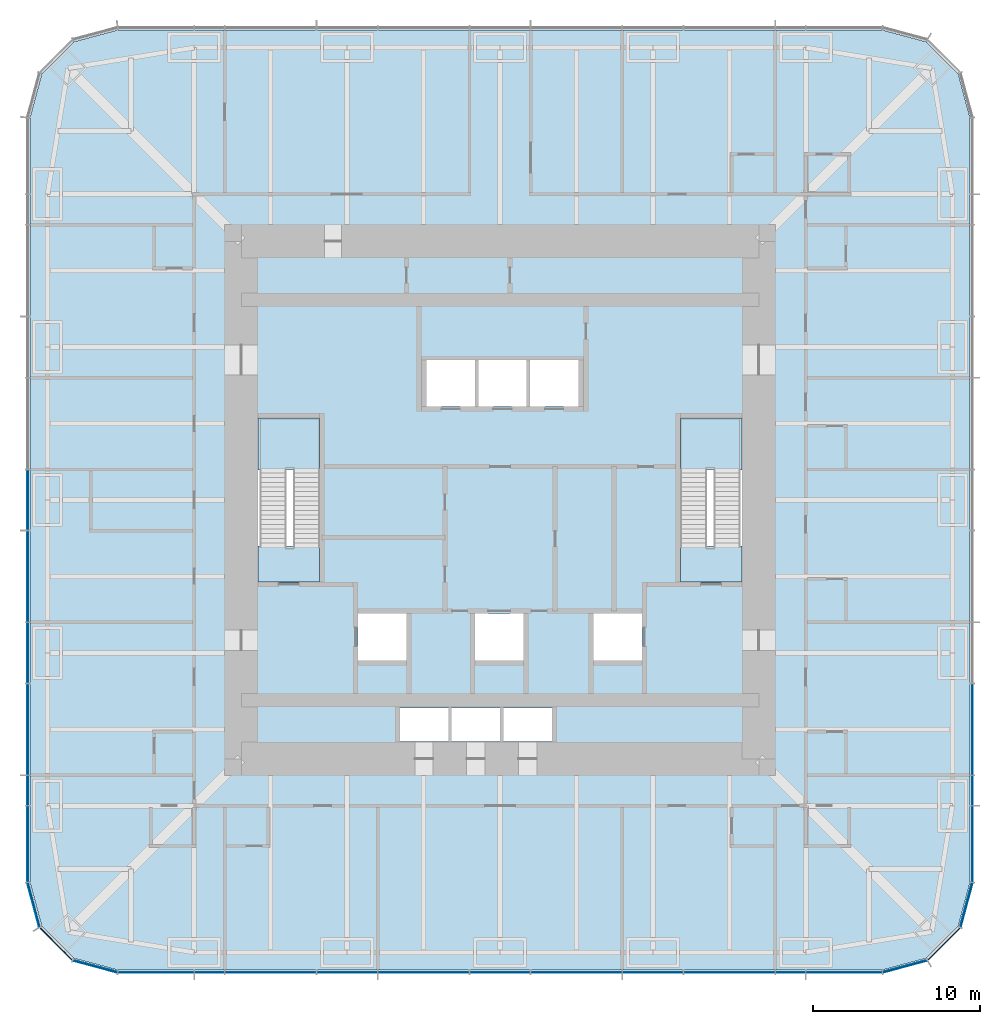
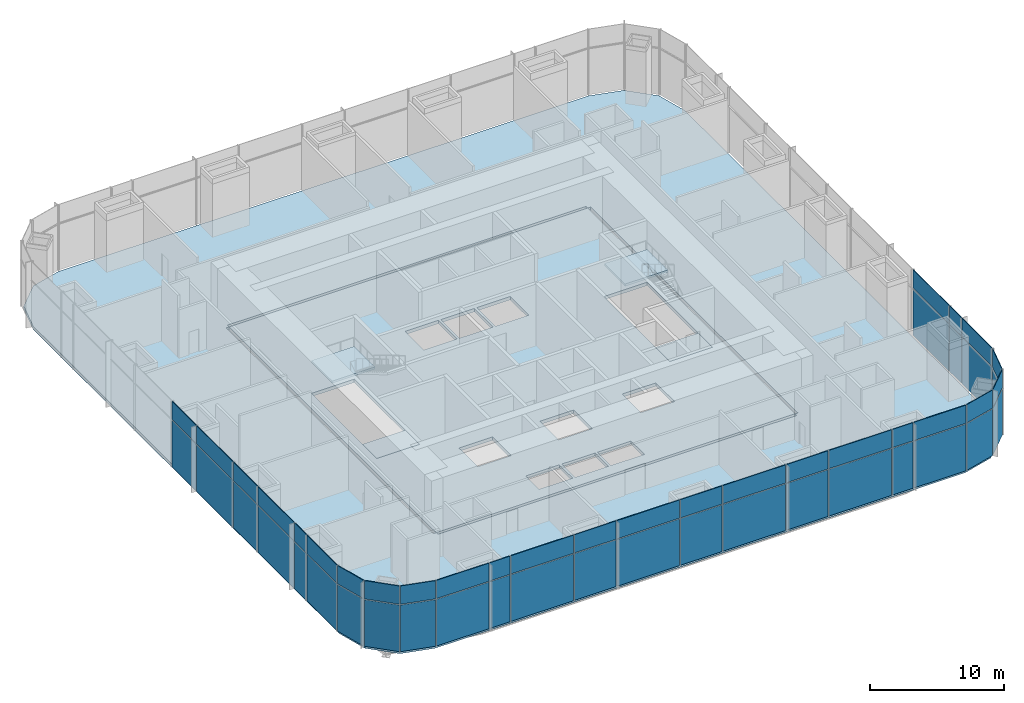
# One storey, part 6 of 12: 52 plates, 6 slabs, 7 elements without a shape of their own.
"""IFC4 building model written with IfcOpenShell, lengths in metres."""

from ifc_helpers import new_model, si_unit, direction, frame, origin, origin_2d, place, context, subcontext, project, spatial, polyline, rectangle, outline, extrude, material, layer, layer_set, type_object, element, aggregate, save


model = new_model("IFC4")

# Units and contexts
model_context = context("Model", 3, precision=1e-05, world=origin(), true_north=direction((0.0, 1.0)))
body_context = subcontext(model_context, "Body", "Model", "MODEL_VIEW")
ifc_project = project(units=[si_unit("LENGTHUNIT", "METRE"), si_unit("AREAUNIT", "SQUARE_METRE"), si_unit("VOLUMEUNIT", "CUBIC_METRE"), si_unit("PLANEANGLEUNIT", "RADIAN"), si_unit("MASSUNIT", "GRAM", prefix="KILO")], contexts=[model_context])

# Site, building, storey
site_placement = place(None, origin())
site = spatial("IfcSite", under=ifc_project, at=site_placement, CompositionType="ELEMENT")
building_placement = place(site_placement, origin())
building = spatial("IfcBuilding", under=site, at=building_placement, Name="Khuree Lantern Residences", CompositionType="ELEMENT")
storey_placement = place(building_placement, frame((0.0, 0.0, 186.0)))
storey = spatial("IfcBuildingStorey", under=building, at=storey_placement, Name="L47", CompositionType="ELEMENT", Elevation=186.0)

# Slabs
ifc_material_1 = material(Name="Concrete C35/45", Category="concrete")
ifc_layer_1 = layer(ifc_material_1, 0.300048828125)
ifc_layer_set_1 = layer_set([ifc_layer_1], Name="CFL300 CORE FLOOR SLAB 300")
slab_type_1 = type_object("IfcSlabType", Name="CFL300 CORE FLOOR SLAB 300", PredefinedType="FLOOR", material=ifc_layer_set_1)
slab_1_placement = place(storey_placement, frame((0.0, 0.0, -0.300048828125)))
element("IfcSlab", 1, at=slab_1_placement, inside=storey, type_object=slab_type_1, Name="Core floor L47", PredefinedType="FLOOR", context=body_context, shape_type="SweptSolid", body=[
    extrude(outline(polyline([(-15.5, -15.5), (-15.5, 15.5), (15.5, 15.5), (15.5, -15.5), (-15.5, -15.5)]), holes=[polyline([(10.800048828125, 4.89990234375), (10.800048828125, -4.89990234375), (14.5, -4.89990234375), (14.5, 4.89990234375), (10.800048828125, 4.89990234375)]), polyline([(8.5, -6.800048828125), (5.60009765625, -6.800048828125), (5.60009765625, -9.60009765625), (8.5, -9.60009765625), (8.5, -6.800048828125)]), polyline([(4.699951171875, 8.39990234375), (1.800048828125, 8.39990234375), (1.800048828125, 5.60009765625), (4.699951171875, 5.60009765625), (4.699951171875, 8.39990234375)]), polyline([(3.10009765625, -12.449951171875), (0.199951171875, -12.449951171875), (0.199951171875, -14.449951171875), (3.10009765625, -14.449951171875), (3.10009765625, -12.449951171875)]), polyline([(1.60009765625, 8.39990234375), (-1.300048828125, 8.39990234375), (-1.300048828125, 5.60009765625), (1.60009765625, 5.60009765625), (1.60009765625, 8.39990234375)]), polyline([(1.39990234375, -6.800048828125), (-1.5, -6.800048828125), (-1.5, -9.60009765625), (1.39990234375, -9.60009765625), (1.39990234375, -6.800048828125)]), polyline([(-2.89990234375, -12.449951171875), (-2.89990234375, -14.449951171875), (0.0, -14.449951171875), (0.0, -12.449951171875), (-2.89990234375, -12.449951171875)]), polyline([(-4.39990234375, 8.39990234375), (-4.39990234375, 5.60009765625), (-1.5, 5.60009765625), (-1.5, 8.39990234375), (-4.39990234375, 8.39990234375)]), polyline([(-6.0, -12.449951171875), (-6.0, -14.449951171875), (-3.10009765625, -14.449951171875), (-3.10009765625, -12.449951171875), (-6.0, -12.449951171875)]), polyline([(-8.5, -6.800048828125), (-8.5, -9.60009765625), (-5.60009765625, -9.60009765625), (-5.60009765625, -6.800048828125), (-8.5, -6.800048828125)]), polyline([(-10.800048828125, 4.89990234375), (-14.5, 4.89990234375), (-14.5, -4.89990234375), (-10.800048828125, -4.89990234375), (-10.800048828125, 4.89990234375)])]), origin(), (0.0, 0.0, 1.0), 0.300048828125),
])
ifc_layer_2 = layer(ifc_material_1, 0.300048828125)
ifc_layer_set_2 = layer_set([ifc_layer_2], Name="FS300 FLOOR SLAB 300")
slab_type_2 = type_object("IfcSlabType", Name="FS300 FLOOR SLAB 300", PredefinedType="FLOOR", material=ifc_layer_set_2)
slab_2_placement = place(storey_placement, frame((0.0, 0.0, -0.300048828125)))
element("IfcSlab", 2, at=slab_2_placement, inside=storey, type_object=slab_type_2, Name="Floor slab L47", PredefinedType="FLOOR", context=body_context, shape_type="SweptSolid", body=[
    extrude(outline(polyline([(-25.52490234375, -27.446533203125), (-27.446533203125, -25.52490234375), (-28.14990234375, -22.89990234375), (-28.14990234375, 22.89990234375), (-27.446533203125, 25.52490234375), (-25.52490234375, 27.446533203125), (-22.89990234375, 28.14990234375), (22.89990234375, 28.14990234375), (25.52490234375, 27.446533203125), (27.446533203125, 25.52490234375), (28.14990234375, 22.89990234375), (28.14990234375, -22.89990234375), (27.446533203125, -25.52490234375), (25.52490234375, -27.446533203125), (22.89990234375, -28.14990234375), (-22.89990234375, -28.14990234375), (-25.52490234375, -27.446533203125)]), holes=[polyline([(15.75, 15.5), (15.5, 15.5), (15.5, 15.75), (-15.5, 15.75), (-15.5, 15.5), (-15.75, 15.5), (-15.75, -15.5), (-15.5, -15.5), (-15.5, -15.75), (15.5, -15.75), (15.5, -15.5), (15.75, -15.5), (15.75, 15.5)])]), origin(), (0.0, 0.0, 1.0), 0.300048828125),
])

# Curtain wall, plates
ifc_material_2 = material(Name="Bronze anodised aluminium", Category="aluminium")
curtain_wall_type = type_object("IfcCurtainWallType", Name="CW-S SKY STOREY FULL-HEIGHT CURTAIN WALL", PredefinedType="USERDEFINED", material=ifc_material_2)
curtain_wall_1_placement = place(storey_placement, origin())
curtain_wall_1 = element("IfcCurtainWall", 3, at=curtain_wall_1_placement, inside=storey, type_object=curtain_wall_type, Name="L47 SOUTH-EAST CORNER CURTAIN WALL", ObjectType="Full-height curtain wall", PredefinedType="USERDEFINED")
ifc_material_3 = material(Name="Bronze tinted laminated triple glazing", Category="glass")
ifc_layer_3 = layer(ifc_material_3, 0.055908203125)
ifc_layer_set_3 = layer_set([ifc_layer_3], Name="SKY VISION PANEL P7")
plate_type_1 = type_object("IfcPlateType", Name="SKY VISION PANEL P7", PredefinedType="CURTAIN_PANEL", material=ifc_layer_set_3)
plate_1_placement = place(storey_placement, frame((24.24755859375, -27.93896484375, 0.0), z_axis=(0.0, 0.0, 1.0), x_axis=(0.965925810153, 0.258819105321, 0.0)))
plate_1 = element("IfcPlate", 4, at=plate_1_placement, type_object=plate_type_1, Name="L47 SOUTH-EAST CORNER PANEL 1.1", PredefinedType="CURTAIN_PANEL", context=body_context, shape_type="SweptSolid", body=[
    extrude(rectangle(XDim=2.70751953125, YDim=0.055908203125, at=origin_2d()), origin(), (0.0, 0.0, 1.0), 4.262451171875),
])
plate_2_placement = place(storey_placement, frame((26.58837890625, -26.58837890625, 0.0), z_axis=(0.0, 0.0, 1.0), x_axis=(0.707106781187, 0.707106781187, 0.0)))
plate_2 = element("IfcPlate", 5, at=plate_2_placement, type_object=plate_type_1, Name="L47 SOUTH-EAST CORNER PANEL 2.1", PredefinedType="CURTAIN_PANEL", context=body_context, shape_type="SweptSolid", body=[
    extrude(rectangle(XDim=2.70263671875, YDim=0.055908203125, at=origin_2d()), origin(), (0.0, 0.0, 1.0), 4.262451171875),
])
plate_3_placement = place(storey_placement, frame((27.93896484375, -24.24755859375, 0.0), z_axis=(0.0, 0.0, 1.0), x_axis=(0.258819105321, 0.965925810153, 0.0)))
plate_3 = element("IfcPlate", 6, at=plate_3_placement, type_object=plate_type_1, Name="L47 SOUTH-EAST CORNER PANEL 3.1", PredefinedType="CURTAIN_PANEL", context=body_context, shape_type="SweptSolid", body=[
    extrude(rectangle(XDim=2.70751953125, YDim=0.055908203125, at=origin_2d()), origin(), (0.0, 0.0, 1.0), 4.262451171875),
])

curtain_wall_2_placement = place(storey_placement, origin())
curtain_wall_2 = element("IfcCurtainWall", 7, at=curtain_wall_2_placement, inside=storey, type_object=curtain_wall_type, Name="L47 EAST FACE CURTAIN WALL", ObjectType="Full-height curtain wall", PredefinedType="USERDEFINED")
plate_4_placement = place(storey_placement, frame((28.300048828125, -20.60791015625, 0.0), z_axis=(0.0, 0.0, 1.0), x_axis=(0.0, 1.0, 0.0)))
plate_4 = element("IfcPlate", 8, at=plate_4_placement, type_object=plate_type_1, Name="L47 EAST FACE PANEL 4.1", PredefinedType="CURTAIN_PANEL", context=body_context, shape_type="SweptSolid", body=[
    extrude(rectangle(XDim=4.5009765625, YDim=0.055908203125, at=origin_2d()), origin(), (0.0, 0.0, 1.0), 4.262451171875),
])
plate_5_placement = place(storey_placement, frame((28.300048828125, -17.404052734375, 0.0), z_axis=(0.0, 0.0, 1.0), x_axis=(0.0, 1.0, 0.0)))
plate_5 = element("IfcPlate", 9, at=plate_5_placement, type_object=plate_type_1, Name="L47 EAST FACE PANEL 5.1", PredefinedType="CURTAIN_PANEL", context=body_context, shape_type="SweptSolid", body=[
    extrude(rectangle(XDim=1.757080078125, YDim=0.055908203125, at=origin_2d()), origin(), (0.0, 0.0, 1.0), 4.262451171875),
])
plate_6_placement = place(storey_placement, frame((28.300048828125, -13.739990234375, 0.0), z_axis=(0.0, 0.0, 1.0), x_axis=(0.0, 1.0, 0.0)))
plate_6 = element("IfcPlate", 10, at=plate_6_placement, type_object=plate_type_1, Name="L47 EAST FACE PANEL 6.1", PredefinedType="CURTAIN_PANEL", context=body_context, shape_type="SweptSolid", body=[
    extrude(rectangle(XDim=5.4208984375, YDim=0.055908203125, at=origin_2d()), origin(), (0.0, 0.0, 1.0), 4.262451171875),
])

curtain_wall_3_placement = place(storey_placement, origin())
curtain_wall_3 = element("IfcCurtainWall", 11, at=curtain_wall_3_placement, inside=storey, type_object=curtain_wall_type, Name="L47 WEST FACE CURTAIN WALL", ObjectType="Full-height curtain wall", PredefinedType="USERDEFINED")
plate_7_placement = place(storey_placement, frame((-28.300048828125, 0.0, 0.0), z_axis=(0.0, 0.0, 1.0), x_axis=(0.0, -1.0, 0.0)))
plate_7 = element("IfcPlate", 12, at=plate_7_placement, type_object=plate_type_1, Name="L47 WEST FACE PANEL 37.1", PredefinedType="CURTAIN_PANEL", context=body_context, shape_type="SweptSolid", body=[
    extrude(rectangle(XDim=3.589111328125, YDim=0.055908203125, at=origin_2d()), origin(), (0.0, 0.0, 1.0), 4.262451171875),
])
plate_8_placement = place(storey_placement, frame((-28.300048828125, -4.580078125, 0.0), z_axis=(0.0, 0.0, 1.0), x_axis=(0.0, -1.0, 0.0)))
plate_8 = element("IfcPlate", 13, at=plate_8_placement, type_object=plate_type_1, Name="L47 WEST FACE PANEL 38.1", PredefinedType="CURTAIN_PANEL", context=body_context, shape_type="SweptSolid", body=[
    extrude(rectangle(XDim=5.4208984375, YDim=0.055908203125, at=origin_2d()), origin(), (0.0, 0.0, 1.0), 4.262451171875),
])
plate_9_placement = place(storey_placement, frame((-28.300048828125, -9.159912109375, 0.0), z_axis=(0.0, 0.0, 1.0), x_axis=(0.0, -1.0, 0.0)))
plate_9 = element("IfcPlate", 14, at=plate_9_placement, type_object=plate_type_1, Name="L47 WEST FACE PANEL 39.1", PredefinedType="CURTAIN_PANEL", context=body_context, shape_type="SweptSolid", body=[
    extrude(rectangle(XDim=3.589111328125, YDim=0.055908203125, at=origin_2d()), origin(), (0.0, 0.0, 1.0), 4.262451171875),
])
plate_10_placement = place(storey_placement, frame((-28.300048828125, -13.739990234375, 0.0), z_axis=(0.0, 0.0, 1.0), x_axis=(0.0, -1.0, 0.0)))
plate_10 = element("IfcPlate", 15, at=plate_10_placement, type_object=plate_type_1, Name="L47 WEST FACE PANEL 40.1", PredefinedType="CURTAIN_PANEL", context=body_context, shape_type="SweptSolid", body=[
    extrude(rectangle(XDim=5.4208984375, YDim=0.055908203125, at=origin_2d()), origin(), (0.0, 0.0, 1.0), 4.262451171875),
])
plate_11_placement = place(storey_placement, frame((-28.300048828125, -17.404052734375, 0.0), z_axis=(0.0, 0.0, 1.0), x_axis=(0.0, -1.0, 0.0)))
plate_11 = element("IfcPlate", 16, at=plate_11_placement, type_object=plate_type_1, Name="L47 WEST FACE PANEL 41.1", PredefinedType="CURTAIN_PANEL", context=body_context, shape_type="SweptSolid", body=[
    extrude(rectangle(XDim=1.757080078125, YDim=0.055908203125, at=origin_2d()), origin(), (0.0, 0.0, 1.0), 4.262451171875),
])
plate_12_placement = place(storey_placement, frame((-28.300048828125, -20.60791015625, 0.0), z_axis=(0.0, 0.0, 1.0), x_axis=(0.0, -1.0, 0.0)))
plate_12 = element("IfcPlate", 17, at=plate_12_placement, type_object=plate_type_1, Name="L47 WEST FACE PANEL 42.1", PredefinedType="CURTAIN_PANEL", context=body_context, shape_type="SweptSolid", body=[
    extrude(rectangle(XDim=4.5009765625, YDim=0.055908203125, at=origin_2d()), origin(), (0.0, 0.0, 1.0), 4.262451171875),
])

curtain_wall_4_placement = place(storey_placement, origin())
curtain_wall_4 = element("IfcCurtainWall", 18, at=curtain_wall_4_placement, inside=storey, type_object=curtain_wall_type, Name="L47 SOUTH-WEST CORNER CURTAIN WALL", ObjectType="Full-height curtain wall", PredefinedType="USERDEFINED")
plate_13_placement = place(storey_placement, frame((-27.93896484375, -24.24755859375, 0.0), z_axis=(0.0, 0.0, 1.0), x_axis=(0.258819105321, -0.965925810153, 0.0)))
plate_13 = element("IfcPlate", 19, at=plate_13_placement, type_object=plate_type_1, Name="L47 SOUTH-WEST CORNER PANEL 43.1", PredefinedType="CURTAIN_PANEL", context=body_context, shape_type="SweptSolid", body=[
    extrude(rectangle(XDim=2.70751953125, YDim=0.055908203125, at=origin_2d()), origin(), (0.0, 0.0, 1.0), 4.262451171875),
])
plate_14_placement = place(storey_placement, frame((-26.58837890625, -26.58837890625, 0.0), z_axis=(0.0, 0.0, 1.0), x_axis=(0.707106781187, -0.707106781187, 0.0)))
plate_14 = element("IfcPlate", 20, at=plate_14_placement, type_object=plate_type_1, Name="L47 SOUTH-WEST CORNER PANEL 44.1", PredefinedType="CURTAIN_PANEL", context=body_context, shape_type="SweptSolid", body=[
    extrude(rectangle(XDim=2.70263671875, YDim=0.055908203125, at=origin_2d()), origin(), (0.0, 0.0, 1.0), 4.262451171875),
])
plate_15_placement = place(storey_placement, frame((-24.24755859375, -27.93896484375, 0.0), z_axis=(0.0, 0.0, 1.0), x_axis=(0.965925810153, -0.258819105321, 0.0)))
plate_15 = element("IfcPlate", 21, at=plate_15_placement, type_object=plate_type_1, Name="L47 SOUTH-WEST CORNER PANEL 45.1", PredefinedType="CURTAIN_PANEL", context=body_context, shape_type="SweptSolid", body=[
    extrude(rectangle(XDim=2.70751953125, YDim=0.055908203125, at=origin_2d()), origin(), (0.0, 0.0, 1.0), 4.262451171875),
])

curtain_wall_5_placement = place(storey_placement, origin())
curtain_wall_5 = element("IfcCurtainWall", 22, at=curtain_wall_5_placement, inside=storey, type_object=curtain_wall_type, Name="L47 SOUTH FACE CURTAIN WALL", ObjectType="Full-height curtain wall", PredefinedType="USERDEFINED")
plate_16_placement = place(storey_placement, frame((-20.60791015625, -28.300048828125, 0.0), z_axis=(0.0, 0.0, 1.0), x_axis=(1.0, 0.0, 0.0)))
plate_16 = element("IfcPlate", 23, at=plate_16_placement, type_object=plate_type_1, Name="L47 SOUTH FACE PANEL 46.1", PredefinedType="CURTAIN_PANEL", context=body_context, shape_type="SweptSolid", body=[
    extrude(rectangle(XDim=4.5009765625, YDim=0.055908203125, at=origin_2d()), origin(), (0.0, 0.0, 1.0), 4.262451171875),
])
plate_17_placement = place(storey_placement, frame((-17.404052734375, -28.300048828125, 0.0), z_axis=(0.0, 0.0, 1.0), x_axis=(1.0, 0.0, 0.0)))
plate_17 = element("IfcPlate", 24, at=plate_17_placement, type_object=plate_type_1, Name="L47 SOUTH FACE PANEL 47.1", PredefinedType="CURTAIN_PANEL", context=body_context, shape_type="SweptSolid", body=[
    extrude(rectangle(XDim=1.757080078125, YDim=0.055908203125, at=origin_2d()), origin(), (0.0, 0.0, 1.0), 4.262451171875),
])
plate_18_placement = place(storey_placement, frame((-13.739990234375, -28.300048828125, 0.0), z_axis=(0.0, 0.0, 1.0), x_axis=(1.0, 0.0, 0.0)))
plate_18 = element("IfcPlate", 25, at=plate_18_placement, type_object=plate_type_1, Name="L47 SOUTH FACE PANEL 48.1", PredefinedType="CURTAIN_PANEL", context=body_context, shape_type="SweptSolid", body=[
    extrude(rectangle(XDim=5.4208984375, YDim=0.055908203125, at=origin_2d()), origin(), (0.0, 0.0, 1.0), 4.262451171875),
])
plate_19_placement = place(storey_placement, frame((-9.159912109375, -28.300048828125, 0.0), z_axis=(0.0, 0.0, 1.0), x_axis=(1.0, 0.0, 0.0)))
plate_19 = element("IfcPlate", 26, at=plate_19_placement, type_object=plate_type_1, Name="L47 SOUTH FACE PANEL 49.1", PredefinedType="CURTAIN_PANEL", context=body_context, shape_type="SweptSolid", body=[
    extrude(rectangle(XDim=3.589111328125, YDim=0.055908203125, at=origin_2d()), origin(), (0.0, 0.0, 1.0), 4.262451171875),
])
plate_20_placement = place(storey_placement, frame((-4.580078125, -28.300048828125, 0.0), z_axis=(0.0, 0.0, 1.0), x_axis=(1.0, 0.0, 0.0)))
plate_20 = element("IfcPlate", 27, at=plate_20_placement, type_object=plate_type_1, Name="L47 SOUTH FACE PANEL 50.1", PredefinedType="CURTAIN_PANEL", context=body_context, shape_type="SweptSolid", body=[
    extrude(rectangle(XDim=5.4208984375, YDim=0.055908203125, at=origin_2d()), origin(), (0.0, 0.0, 1.0), 4.262451171875),
])
plate_21_placement = place(storey_placement, frame((0.0, -28.300048828125, 0.0), z_axis=(0.0, 0.0, 1.0), x_axis=(1.0, 0.0, 0.0)))
plate_21 = element("IfcPlate", 28, at=plate_21_placement, type_object=plate_type_1, Name="L47 SOUTH FACE PANEL 51.1", PredefinedType="CURTAIN_PANEL", context=body_context, shape_type="SweptSolid", body=[
    extrude(rectangle(XDim=3.589111328125, YDim=0.055908203125, at=origin_2d()), origin(), (0.0, 0.0, 1.0), 4.262451171875),
])
plate_22_placement = place(storey_placement, frame((4.580078125, -28.300048828125, 0.0), z_axis=(0.0, 0.0, 1.0), x_axis=(1.0, 0.0, 0.0)))
plate_22 = element("IfcPlate", 29, at=plate_22_placement, type_object=plate_type_1, Name="L47 SOUTH FACE PANEL 52.1", PredefinedType="CURTAIN_PANEL", context=body_context, shape_type="SweptSolid", body=[
    extrude(rectangle(XDim=5.4208984375, YDim=0.055908203125, at=origin_2d()), origin(), (0.0, 0.0, 1.0), 4.262451171875),
])
plate_23_placement = place(storey_placement, frame((9.159912109375, -28.300048828125, 0.0), z_axis=(0.0, 0.0, 1.0), x_axis=(1.0, 0.0, 0.0)))
plate_23 = element("IfcPlate", 30, at=plate_23_placement, type_object=plate_type_1, Name="L47 SOUTH FACE PANEL 53.1", PredefinedType="CURTAIN_PANEL", context=body_context, shape_type="SweptSolid", body=[
    extrude(rectangle(XDim=3.589111328125, YDim=0.055908203125, at=origin_2d()), origin(), (0.0, 0.0, 1.0), 4.262451171875),
])
plate_24_placement = place(storey_placement, frame((13.739990234375, -28.300048828125, 0.0), z_axis=(0.0, 0.0, 1.0), x_axis=(1.0, 0.0, 0.0)))
plate_24 = element("IfcPlate", 31, at=plate_24_placement, type_object=plate_type_1, Name="L47 SOUTH FACE PANEL 54.1", PredefinedType="CURTAIN_PANEL", context=body_context, shape_type="SweptSolid", body=[
    extrude(rectangle(XDim=5.4208984375, YDim=0.055908203125, at=origin_2d()), origin(), (0.0, 0.0, 1.0), 4.262451171875),
])
plate_25_placement = place(storey_placement, frame((17.404052734375, -28.300048828125, 0.0), z_axis=(0.0, 0.0, 1.0), x_axis=(1.0, 0.0, 0.0)))
plate_25 = element("IfcPlate", 32, at=plate_25_placement, type_object=plate_type_1, Name="L47 SOUTH FACE PANEL 55.1", PredefinedType="CURTAIN_PANEL", context=body_context, shape_type="SweptSolid", body=[
    extrude(rectangle(XDim=1.757080078125, YDim=0.055908203125, at=origin_2d()), origin(), (0.0, 0.0, 1.0), 4.262451171875),
])
plate_26_placement = place(storey_placement, frame((20.60791015625, -28.300048828125, 0.0), z_axis=(0.0, 0.0, 1.0), x_axis=(1.0, 0.0, 0.0)))
plate_26 = element("IfcPlate", 33, at=plate_26_placement, type_object=plate_type_1, Name="L47 SOUTH FACE PANEL 56.1", PredefinedType="CURTAIN_PANEL", context=body_context, shape_type="SweptSolid", body=[
    extrude(rectangle(XDim=4.5009765625, YDim=0.055908203125, at=origin_2d()), origin(), (0.0, 0.0, 1.0), 4.262451171875),
])

# Plate
ifc_material_4 = material(Name="Bronze anodised aluminium insulated spandrel", Category="aluminium")
ifc_layer_4 = layer(ifc_material_4, 0.06005859375)
ifc_layer_set_4 = layer_set([ifc_layer_4], Name="SPANDREL PANEL P2")
plate_type_2 = type_object("IfcPlateType", Name="SPANDREL PANEL P2", PredefinedType="CURTAIN_PANEL", material=ifc_layer_set_4)
plate_27_placement = place(storey_placement, frame((24.24755859375, -27.93896484375, 4.33740234375), z_axis=(0.0, 0.0, 1.0), x_axis=(0.965925810153, 0.258819105321, 0.0)))
plate_27 = element("IfcPlate", 34, at=plate_27_placement, type_object=plate_type_2, Name="L47 SOUTH-EAST CORNER PANEL 1.2", PredefinedType="CURTAIN_PANEL", context=body_context, shape_type="SweptSolid", body=[
    extrude(rectangle(XDim=2.70654296875, YDim=0.06005859375, at=origin_2d()), origin(), (0.0, 0.0, 1.0), 1.66259765625),
])

plate_28_placement = place(storey_placement, frame((26.58837890625, -26.58837890625, 4.33740234375), z_axis=(0.0, 0.0, 1.0), x_axis=(0.707106781187, 0.707106781187, 0.0)))
plate_28 = element("IfcPlate", 35, at=plate_28_placement, type_object=plate_type_2, Name="L47 SOUTH-EAST CORNER PANEL 2.2", PredefinedType="CURTAIN_PANEL", context=body_context, shape_type="SweptSolid", body=[
    extrude(rectangle(XDim=2.701416015625, YDim=0.06005859375, at=origin_2d()), origin(), (0.0, 0.0, 1.0), 1.66259765625),
])

plate_29_placement = place(storey_placement, frame((27.93896484375, -24.24755859375, 4.33740234375), z_axis=(0.0, 0.0, 1.0), x_axis=(0.258819105321, 0.965925810153, 0.0)))
plate_29 = element("IfcPlate", 36, at=plate_29_placement, type_object=plate_type_2, Name="L47 SOUTH-EAST CORNER PANEL 3.2", PredefinedType="CURTAIN_PANEL", context=body_context, shape_type="SweptSolid", body=[
    extrude(rectangle(XDim=2.70654296875, YDim=0.06005859375, at=origin_2d()), origin(), (0.0, 0.0, 1.0), 1.66259765625),
])

aggregate(curtain_wall_1, [plate_1, plate_27, plate_2, plate_28, plate_3, plate_29])

plate_30_placement = place(storey_placement, frame((28.300048828125, -20.60791015625, 4.33740234375), z_axis=(0.0, 0.0, 1.0), x_axis=(0.0, 1.0, 0.0)))
plate_30 = element("IfcPlate", 37, at=plate_30_placement, type_object=plate_type_2, Name="L47 EAST FACE PANEL 4.2", PredefinedType="CURTAIN_PANEL", context=body_context, shape_type="SweptSolid", body=[
    extrude(rectangle(XDim=4.500732421875, YDim=0.06005859375, at=origin_2d()), origin(), (0.0, 0.0, 1.0), 1.66259765625),
])

plate_31_placement = place(storey_placement, frame((28.300048828125, -17.404052734375, 4.33740234375), z_axis=(0.0, 0.0, 1.0), x_axis=(0.0, 1.0, 0.0)))
plate_31 = element("IfcPlate", 38, at=plate_31_placement, type_object=plate_type_2, Name="L47 EAST FACE PANEL 5.2", PredefinedType="CURTAIN_PANEL", context=body_context, shape_type="SweptSolid", body=[
    extrude(rectangle(XDim=1.757080078125, YDim=0.06005859375, at=origin_2d()), origin(), (0.0, 0.0, 1.0), 1.66259765625),
])

plate_32_placement = place(storey_placement, frame((28.300048828125, -13.739990234375, 4.33740234375), z_axis=(0.0, 0.0, 1.0), x_axis=(0.0, 1.0, 0.0)))
plate_32 = element("IfcPlate", 39, at=plate_32_placement, type_object=plate_type_2, Name="L47 EAST FACE PANEL 6.2", PredefinedType="CURTAIN_PANEL", context=body_context, shape_type="SweptSolid", body=[
    extrude(rectangle(XDim=5.4208984375, YDim=0.06005859375, at=origin_2d()), origin(), (0.0, 0.0, 1.0), 1.66259765625),
])

aggregate(curtain_wall_2, [plate_4, plate_30, plate_5, plate_31, plate_6, plate_32])

plate_33_placement = place(storey_placement, frame((-28.300048828125, 0.0, 4.33740234375), z_axis=(0.0, 0.0, 1.0), x_axis=(0.0, -1.0, 0.0)))
plate_33 = element("IfcPlate", 40, at=plate_33_placement, type_object=plate_type_2, Name="L47 WEST FACE PANEL 37.2", PredefinedType="CURTAIN_PANEL", context=body_context, shape_type="SweptSolid", body=[
    extrude(rectangle(XDim=3.589111328125, YDim=0.06005859375, at=origin_2d()), origin(), (0.0, 0.0, 1.0), 1.66259765625),
])

plate_34_placement = place(storey_placement, frame((-28.300048828125, -4.580078125, 4.33740234375), z_axis=(0.0, 0.0, 1.0), x_axis=(0.0, -1.0, 0.0)))
plate_34 = element("IfcPlate", 41, at=plate_34_placement, type_object=plate_type_2, Name="L47 WEST FACE PANEL 38.2", PredefinedType="CURTAIN_PANEL", context=body_context, shape_type="SweptSolid", body=[
    extrude(rectangle(XDim=5.4208984375, YDim=0.06005859375, at=origin_2d()), origin(), (0.0, 0.0, 1.0), 1.66259765625),
])

plate_35_placement = place(storey_placement, frame((-28.300048828125, -9.159912109375, 4.33740234375), z_axis=(0.0, 0.0, 1.0), x_axis=(0.0, -1.0, 0.0)))
plate_35 = element("IfcPlate", 42, at=plate_35_placement, type_object=plate_type_2, Name="L47 WEST FACE PANEL 39.2", PredefinedType="CURTAIN_PANEL", context=body_context, shape_type="SweptSolid", body=[
    extrude(rectangle(XDim=3.589111328125, YDim=0.06005859375, at=origin_2d()), origin(), (0.0, 0.0, 1.0), 1.66259765625),
])

plate_36_placement = place(storey_placement, frame((-28.300048828125, -13.739990234375, 4.33740234375), z_axis=(0.0, 0.0, 1.0), x_axis=(0.0, -1.0, 0.0)))
plate_36 = element("IfcPlate", 43, at=plate_36_placement, type_object=plate_type_2, Name="L47 WEST FACE PANEL 40.2", PredefinedType="CURTAIN_PANEL", context=body_context, shape_type="SweptSolid", body=[
    extrude(rectangle(XDim=5.4208984375, YDim=0.06005859375, at=origin_2d()), origin(), (0.0, 0.0, 1.0), 1.66259765625),
])

plate_37_placement = place(storey_placement, frame((-28.300048828125, -17.404052734375, 4.33740234375), z_axis=(0.0, 0.0, 1.0), x_axis=(0.0, -1.0, 0.0)))
plate_37 = element("IfcPlate", 44, at=plate_37_placement, type_object=plate_type_2, Name="L47 WEST FACE PANEL 41.2", PredefinedType="CURTAIN_PANEL", context=body_context, shape_type="SweptSolid", body=[
    extrude(rectangle(XDim=1.757080078125, YDim=0.06005859375, at=origin_2d()), origin(), (0.0, 0.0, 1.0), 1.66259765625),
])

plate_38_placement = place(storey_placement, frame((-28.300048828125, -20.60791015625, 4.33740234375), z_axis=(0.0, 0.0, 1.0), x_axis=(0.0, -1.0, 0.0)))
plate_38 = element("IfcPlate", 45, at=plate_38_placement, type_object=plate_type_2, Name="L47 WEST FACE PANEL 42.2", PredefinedType="CURTAIN_PANEL", context=body_context, shape_type="SweptSolid", body=[
    extrude(rectangle(XDim=4.500732421875, YDim=0.06005859375, at=origin_2d()), origin(), (0.0, 0.0, 1.0), 1.66259765625),
])

aggregate(curtain_wall_3, [plate_7, plate_33, plate_8, plate_34, plate_9, plate_35, plate_10, plate_36, plate_11, plate_37, plate_12, plate_38])

plate_39_placement = place(storey_placement, frame((-27.93896484375, -24.24755859375, 4.33740234375), z_axis=(0.0, 0.0, 1.0), x_axis=(0.258819105321, -0.965925810153, 0.0)))
plate_39 = element("IfcPlate", 46, at=plate_39_placement, type_object=plate_type_2, Name="L47 SOUTH-WEST CORNER PANEL 43.2", PredefinedType="CURTAIN_PANEL", context=body_context, shape_type="SweptSolid", body=[
    extrude(rectangle(XDim=2.70654296875, YDim=0.06005859375, at=origin_2d()), origin(), (0.0, 0.0, 1.0), 1.66259765625),
])

plate_40_placement = place(storey_placement, frame((-26.58837890625, -26.58837890625, 4.33740234375), z_axis=(0.0, 0.0, 1.0), x_axis=(0.707106781187, -0.707106781187, 0.0)))
plate_40 = element("IfcPlate", 47, at=plate_40_placement, type_object=plate_type_2, Name="L47 SOUTH-WEST CORNER PANEL 44.2", PredefinedType="CURTAIN_PANEL", context=body_context, shape_type="SweptSolid", body=[
    extrude(rectangle(XDim=2.701416015625, YDim=0.06005859375, at=origin_2d()), origin(), (0.0, 0.0, 1.0), 1.66259765625),
])

plate_41_placement = place(storey_placement, frame((-24.24755859375, -27.93896484375, 4.33740234375), z_axis=(0.0, 0.0, 1.0), x_axis=(0.965925810153, -0.258819105321, 0.0)))
plate_41 = element("IfcPlate", 48, at=plate_41_placement, type_object=plate_type_2, Name="L47 SOUTH-WEST CORNER PANEL 45.2", PredefinedType="CURTAIN_PANEL", context=body_context, shape_type="SweptSolid", body=[
    extrude(rectangle(XDim=2.70654296875, YDim=0.06005859375, at=origin_2d()), origin(), (0.0, 0.0, 1.0), 1.66259765625),
])

aggregate(curtain_wall_4, [plate_13, plate_39, plate_14, plate_40, plate_15, plate_41])

plate_42_placement = place(storey_placement, frame((-20.60791015625, -28.300048828125, 4.33740234375), z_axis=(0.0, 0.0, 1.0), x_axis=(1.0, 0.0, 0.0)))
plate_42 = element("IfcPlate", 49, at=plate_42_placement, type_object=plate_type_2, Name="L47 SOUTH FACE PANEL 46.2", PredefinedType="CURTAIN_PANEL", context=body_context, shape_type="SweptSolid", body=[
    extrude(rectangle(XDim=4.500732421875, YDim=0.06005859375, at=origin_2d()), origin(), (0.0, 0.0, 1.0), 1.66259765625),
])

plate_43_placement = place(storey_placement, frame((-17.404052734375, -28.300048828125, 4.33740234375), z_axis=(0.0, 0.0, 1.0), x_axis=(1.0, 0.0, 0.0)))
plate_43 = element("IfcPlate", 50, at=plate_43_placement, type_object=plate_type_2, Name="L47 SOUTH FACE PANEL 47.2", PredefinedType="CURTAIN_PANEL", context=body_context, shape_type="SweptSolid", body=[
    extrude(rectangle(XDim=1.757080078125, YDim=0.06005859375, at=origin_2d()), origin(), (0.0, 0.0, 1.0), 1.66259765625),
])

plate_44_placement = place(storey_placement, frame((-13.739990234375, -28.300048828125, 4.33740234375), z_axis=(0.0, 0.0, 1.0), x_axis=(1.0, 0.0, 0.0)))
plate_44 = element("IfcPlate", 51, at=plate_44_placement, type_object=plate_type_2, Name="L47 SOUTH FACE PANEL 48.2", PredefinedType="CURTAIN_PANEL", context=body_context, shape_type="SweptSolid", body=[
    extrude(rectangle(XDim=5.4208984375, YDim=0.06005859375, at=origin_2d()), origin(), (0.0, 0.0, 1.0), 1.66259765625),
])

plate_45_placement = place(storey_placement, frame((-9.159912109375, -28.300048828125, 4.33740234375), z_axis=(0.0, 0.0, 1.0), x_axis=(1.0, 0.0, 0.0)))
plate_45 = element("IfcPlate", 52, at=plate_45_placement, type_object=plate_type_2, Name="L47 SOUTH FACE PANEL 49.2", PredefinedType="CURTAIN_PANEL", context=body_context, shape_type="SweptSolid", body=[
    extrude(rectangle(XDim=3.589111328125, YDim=0.06005859375, at=origin_2d()), origin(), (0.0, 0.0, 1.0), 1.66259765625),
])

plate_46_placement = place(storey_placement, frame((-4.580078125, -28.300048828125, 4.33740234375), z_axis=(0.0, 0.0, 1.0), x_axis=(1.0, 0.0, 0.0)))
plate_46 = element("IfcPlate", 53, at=plate_46_placement, type_object=plate_type_2, Name="L47 SOUTH FACE PANEL 50.2", PredefinedType="CURTAIN_PANEL", context=body_context, shape_type="SweptSolid", body=[
    extrude(rectangle(XDim=5.4208984375, YDim=0.06005859375, at=origin_2d()), origin(), (0.0, 0.0, 1.0), 1.66259765625),
])

plate_47_placement = place(storey_placement, frame((0.0, -28.300048828125, 4.33740234375), z_axis=(0.0, 0.0, 1.0), x_axis=(1.0, 0.0, 0.0)))
plate_47 = element("IfcPlate", 54, at=plate_47_placement, type_object=plate_type_2, Name="L47 SOUTH FACE PANEL 51.2", PredefinedType="CURTAIN_PANEL", context=body_context, shape_type="SweptSolid", body=[
    extrude(rectangle(XDim=3.589111328125, YDim=0.06005859375, at=origin_2d()), origin(), (0.0, 0.0, 1.0), 1.66259765625),
])

plate_48_placement = place(storey_placement, frame((4.580078125, -28.300048828125, 4.33740234375), z_axis=(0.0, 0.0, 1.0), x_axis=(1.0, 0.0, 0.0)))
plate_48 = element("IfcPlate", 55, at=plate_48_placement, type_object=plate_type_2, Name="L47 SOUTH FACE PANEL 52.2", PredefinedType="CURTAIN_PANEL", context=body_context, shape_type="SweptSolid", body=[
    extrude(rectangle(XDim=5.4208984375, YDim=0.06005859375, at=origin_2d()), origin(), (0.0, 0.0, 1.0), 1.66259765625),
])

plate_49_placement = place(storey_placement, frame((9.159912109375, -28.300048828125, 4.33740234375), z_axis=(0.0, 0.0, 1.0), x_axis=(1.0, 0.0, 0.0)))
plate_49 = element("IfcPlate", 56, at=plate_49_placement, type_object=plate_type_2, Name="L47 SOUTH FACE PANEL 53.2", PredefinedType="CURTAIN_PANEL", context=body_context, shape_type="SweptSolid", body=[
    extrude(rectangle(XDim=3.589111328125, YDim=0.06005859375, at=origin_2d()), origin(), (0.0, 0.0, 1.0), 1.66259765625),
])

plate_50_placement = place(storey_placement, frame((13.739990234375, -28.300048828125, 4.33740234375), z_axis=(0.0, 0.0, 1.0), x_axis=(1.0, 0.0, 0.0)))
plate_50 = element("IfcPlate", 57, at=plate_50_placement, type_object=plate_type_2, Name="L47 SOUTH FACE PANEL 54.2", PredefinedType="CURTAIN_PANEL", context=body_context, shape_type="SweptSolid", body=[
    extrude(rectangle(XDim=5.4208984375, YDim=0.06005859375, at=origin_2d()), origin(), (0.0, 0.0, 1.0), 1.66259765625),
])

plate_51_placement = place(storey_placement, frame((17.404052734375, -28.300048828125, 4.33740234375), z_axis=(0.0, 0.0, 1.0), x_axis=(1.0, 0.0, 0.0)))
plate_51 = element("IfcPlate", 58, at=plate_51_placement, type_object=plate_type_2, Name="L47 SOUTH FACE PANEL 55.2", PredefinedType="CURTAIN_PANEL", context=body_context, shape_type="SweptSolid", body=[
    extrude(rectangle(XDim=1.757080078125, YDim=0.06005859375, at=origin_2d()), origin(), (0.0, 0.0, 1.0), 1.66259765625),
])

plate_52_placement = place(storey_placement, frame((20.60791015625, -28.300048828125, 4.33740234375), z_axis=(0.0, 0.0, 1.0), x_axis=(1.0, 0.0, 0.0)))
plate_52 = element("IfcPlate", 59, at=plate_52_placement, type_object=plate_type_2, Name="L47 SOUTH FACE PANEL 56.2", PredefinedType="CURTAIN_PANEL", context=body_context, shape_type="SweptSolid", body=[
    extrude(rectangle(XDim=4.500732421875, YDim=0.06005859375, at=origin_2d()), origin(), (0.0, 0.0, 1.0), 1.66259765625),
])

aggregate(curtain_wall_5, [plate_16, plate_42, plate_17, plate_43, plate_18, plate_44, plate_19, plate_45, plate_20, plate_46, plate_21, plate_47, plate_22, plate_48, plate_23, plate_49, plate_24, plate_50, plate_25, plate_51, plate_26, plate_52])

# Stair, slabs
ifc_material_5 = material(Name="Concrete C40/50", Category="concrete")
stair_type = type_object("IfcStairType", Name="STAIR ST1 HALF TURN 3600", PredefinedType="HALF_TURN_STAIR", material=ifc_material_5)
stair_1_placement = place(storey_placement, origin())
stair_1 = element("IfcStair", 60, at=stair_1_placement, inside=storey, type_object=stair_type, Name="Stair ST1", PredefinedType="HALF_TURN_STAIR")
ifc_layer_5 = layer(ifc_material_5, 0.199951171875)
ifc_layer_set_5 = layer_set([ifc_layer_5], Name="STAIR LANDING SL1 200")
slab_type_3 = type_object("IfcSlabType", Name="STAIR LANDING SL1 200", PredefinedType="LANDING", material=ifc_layer_set_5)
slab_3_placement = place(storey_placement, frame((0.0, 0.0, -0.199951171875)))
slab_3 = element("IfcSlab", 61, at=slab_3_placement, type_object=slab_type_3, Name="ST1 landing 1", PredefinedType="LANDING", context=body_context, shape_type="SweptSolid", body=[
    extrude(outline(polyline([(-14.5, -4.89990234375), (-10.800048828125, -4.89990234375), (-10.800048828125, -2.760009765625), (-14.5, -2.760009765625), (-14.5, -4.89990234375)])), origin(), (0.0, 0.0, 1.0), 0.199951171875),
])
slab_4_placement = place(storey_placement, frame((0.0, 0.0, 2.800048828125)))
slab_4 = element("IfcSlab", 62, at=slab_4_placement, type_object=slab_type_3, Name="ST1 landing 2", PredefinedType="LANDING", context=body_context, shape_type="SweptSolid", body=[
    extrude(outline(polyline([(-14.5, 1.800048828125), (-14.5, 4.89990234375), (-10.800048828125, 4.89990234375), (-10.800048828125, 1.800048828125), (-14.5, 1.800048828125)])), origin(), (0.0, 0.0, 1.0), 0.199951171875),
])
aggregate(stair_1, [slab_3, slab_4])

stair_2_placement = place(storey_placement, origin())
stair_2 = element("IfcStair", 63, at=stair_2_placement, inside=storey, type_object=stair_type, Name="Stair ST2", PredefinedType="HALF_TURN_STAIR")
slab_5_placement = place(storey_placement, frame((0.0, 0.0, -0.199951171875)))
slab_5 = element("IfcSlab", 64, at=slab_5_placement, type_object=slab_type_3, Name="ST2 landing 1", PredefinedType="LANDING", context=body_context, shape_type="SweptSolid", body=[
    extrude(outline(polyline([(10.800048828125, -4.89990234375), (14.5, -4.89990234375), (14.5, -2.760009765625), (10.800048828125, -2.760009765625), (10.800048828125, -4.89990234375)])), origin(), (0.0, 0.0, 1.0), 0.199951171875),
])
slab_6_placement = place(storey_placement, frame((0.0, 0.0, 2.800048828125)))
slab_6 = element("IfcSlab", 65, at=slab_6_placement, type_object=slab_type_3, Name="ST2 landing 2", PredefinedType="LANDING", context=body_context, shape_type="SweptSolid", body=[
    extrude(outline(polyline([(14.5, 4.89990234375), (14.5, 1.800048828125), (10.800048828125, 1.800048828125), (10.800048828125, 4.89990234375), (14.5, 4.89990234375)])), origin(), (0.0, 0.0, 1.0), 0.199951171875),
])
aggregate(stair_2, [slab_5, slab_6])

save(model, "model.ifc")
